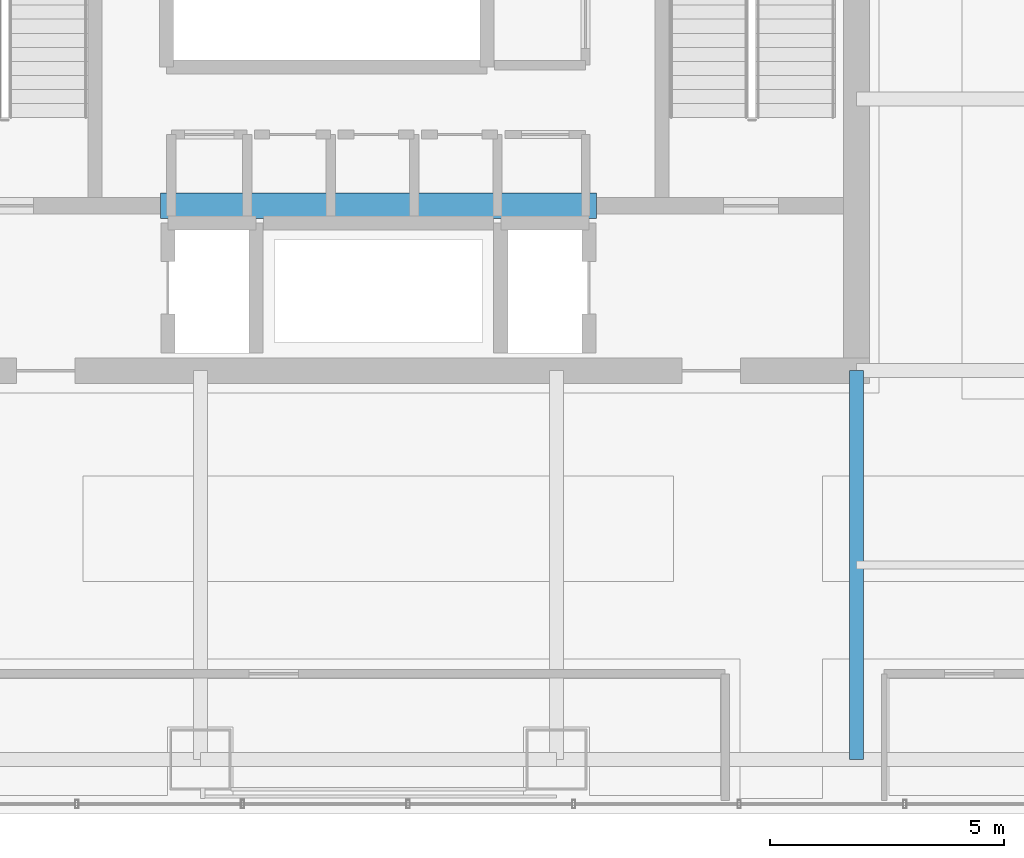
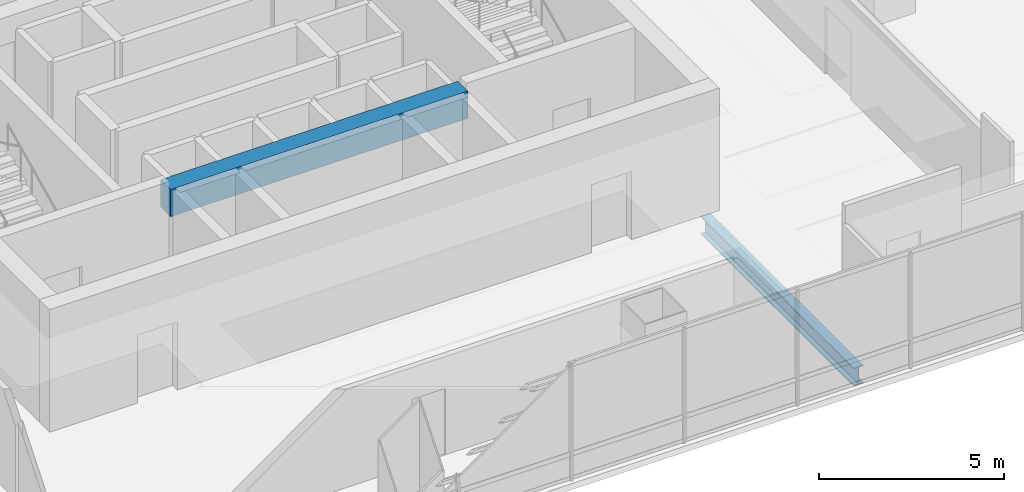
# One storey, part 9 of 40: 2 beams.
"""IFC4 building model written with IfcOpenShell, lengths in metres."""

from ifc_helpers import new_model, si_unit, direction, frame, origin, origin_2d, place, context, subcontext, project, spatial, rectangle, i_section, extrude, material, material_profile, profile_set, type_object, element, save


model = new_model("IFC4")

# Units and contexts
model_context = context("Model", 3, precision=1e-05, world=origin(), true_north=direction((0.0, 1.0)))
body_context = subcontext(model_context, "Body", "Model", "MODEL_VIEW")
ifc_project = project(units=[si_unit("LENGTHUNIT", "METRE"), si_unit("AREAUNIT", "SQUARE_METRE"), si_unit("VOLUMEUNIT", "CUBIC_METRE"), si_unit("PLANEANGLEUNIT", "RADIAN"), si_unit("MASSUNIT", "GRAM", prefix="KILO")], contexts=[model_context])

# Site, building, storey
site_placement = place(None, origin())
site = spatial("IfcSite", under=ifc_project, at=site_placement, CompositionType="ELEMENT")
building_placement = place(site_placement, origin())
building = spatial("IfcBuilding", under=site, at=building_placement, Name="Punatoya Terracotta Tower", CompositionType="ELEMENT")
storey_placement = place(building_placement, frame((0.0, 0.0, 271.64990234375)))
storey = spatial("IfcBuildingStorey", under=building, at=storey_placement, Name="L64", CompositionType="ELEMENT", Elevation=271.64990234375)

# Beams
ifc_material_1 = material(Name="Steel S355", Category="steel")
ifc_material_profile_1 = material_profile(ifc_material_1, i_section(OverallWidth=0.300048828125, OverallDepth=0.60009765625, WebThickness=0.015380859375, FlangeThickness=0.030029296875, FilletRadius=0.01806640625, at=origin_2d()))
ifc_profile_set_1 = profile_set([ifc_material_profile_1], Name="Steel S355")
beam_type_1 = type_object("IfcBeamType", Name="BM-PRI-600", PredefinedType="BEAM", material=ifc_profile_set_1)
beam_1_placement = place(storey_placement, frame((10.199951171875, -17.5, -0.5), z_axis=(0.0, 1.0, 0.0), x_axis=(-1.0, 0.0, 0.0)))
element("IfcBeam", 1, at=beam_1_placement, inside=storey, type_object=beam_type_1, Name="BM-L64-PR-S4", PredefinedType="BEAM", context=body_context, shape_type="SweptSolid", body=[
    extrude(i_section(OverallWidth=0.300048828125, OverallDepth=0.60009765625, WebThickness=0.015380859375, FlangeThickness=0.030029296875, FilletRadius=0.01806640625, at=origin_2d()), origin(), (0.0, 0.0, 1.0), 8.300048828125),
])
ifc_material_2 = material(Name="Concrete C50/60", Category="concrete")
ifc_material_profile_2 = material_profile(ifc_material_2, rectangle(XDim=0.550048828125, YDim=0.89990234375, at=origin_2d()))
ifc_profile_set_2 = profile_set([ifc_material_profile_2], Name="Concrete C50/60")
beam_type_2 = type_object("IfcBeamType", Name="BM-RC-900", PredefinedType="LINTEL", material=ifc_profile_set_2)
beam_2_placement = place(storey_placement, frame((-4.64990234375, -5.679931640625, 3.400146484375), z_axis=(1.0, 0.0, 0.0), x_axis=(0.0, 1.0, 0.0)))
element("IfcBeam", 2, at=beam_2_placement, inside=storey, type_object=beam_type_2, Name="L64 Core Coupling Lintel CSW", PredefinedType="LINTEL", context=body_context, shape_type="SweptSolid", body=[
    extrude(rectangle(XDim=0.550048828125, YDim=0.89990234375, at=origin_2d()), origin(), (0.0, 0.0, 1.0), 9.2998046875),
])

save(model, "model.ifc")
